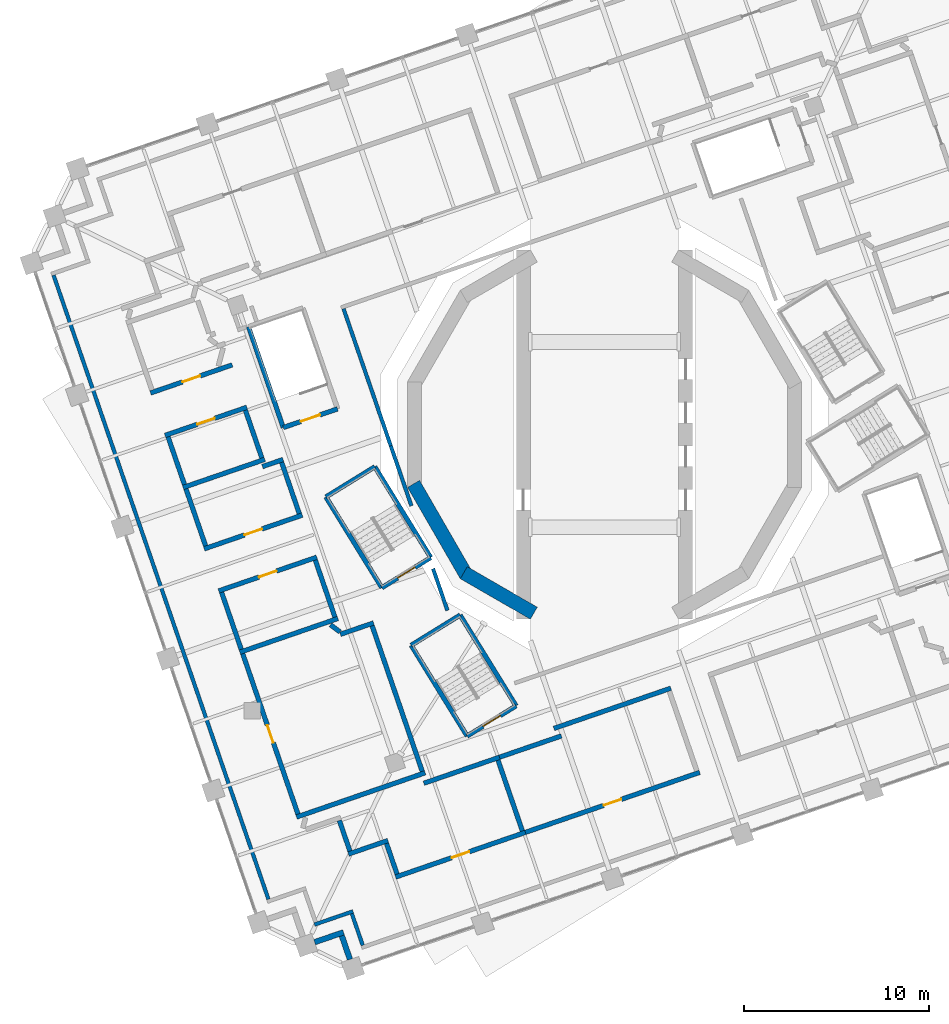
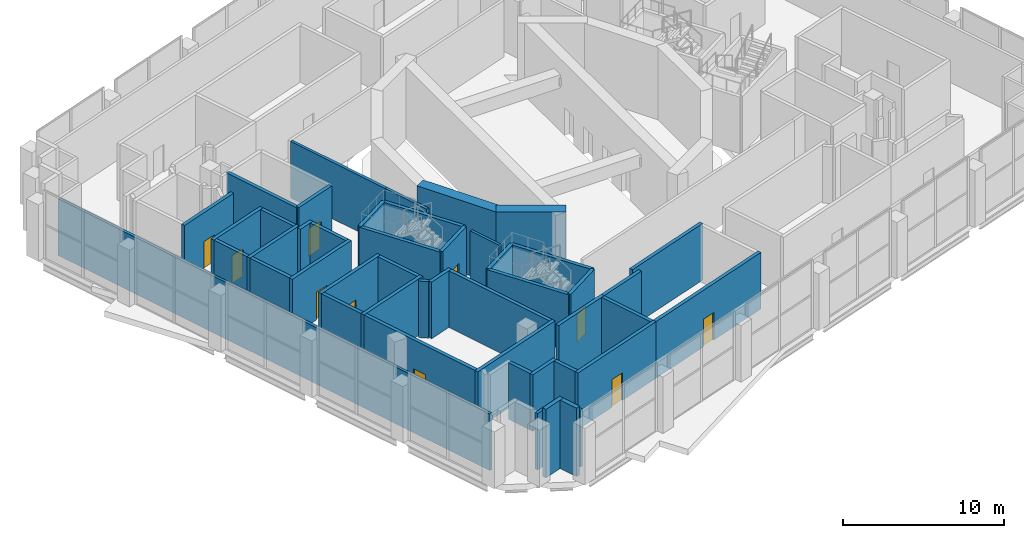
# One storey, part 11 of 20: 47 walls, 10 doors, 10 openings.
"""IFC4 building model written with IfcOpenShell, lengths in metres."""

from ifc_helpers import new_model, si_unit, direction, frame, frame_2d, origin, place, context, subcontext, project, spatial, rectangle, extrude, material, layer, layer_set, type_object, element, fill, save


model = new_model("IFC4")

# Units and contexts
model_context = context("Model", 3, precision=1e-05, world=origin(), true_north=direction((0.0, 1.0)))
body_context = subcontext(model_context, "Body", "Model", "MODEL_VIEW")
ifc_project = project(units=[si_unit("LENGTHUNIT", "METRE"), si_unit("AREAUNIT", "SQUARE_METRE"), si_unit("VOLUMEUNIT", "CUBIC_METRE"), si_unit("PLANEANGLEUNIT", "RADIAN"), si_unit("MASSUNIT", "GRAM", prefix="KILO")], contexts=[model_context])

# Site, building, storey
site_placement = place(None, origin())
site = spatial("IfcSite", under=ifc_project, at=site_placement, CompositionType="ELEMENT")
building_placement = place(site_placement, origin())
building = spatial("IfcBuilding", under=site, at=building_placement, Name="Cantera Rosa Tower", CompositionType="ELEMENT")
storey_placement = place(building_placement, frame((0.0, 0.0, 142.10009765625)))
storey = spatial("IfcBuildingStorey", under=building, at=storey_placement, Name="L30", CompositionType="ELEMENT", Elevation=142.10009765625)

# Walls
ifc_material_1 = material(Name="Masonry blockwork", Category="masonry")
ifc_layer_1 = layer(ifc_material_1, 0.199951171875)
ifc_layer_set_1 = layer_set([ifc_layer_1], Name="Blockwork partition 200")
wall_type_1 = type_object("IfcWallType", Name="Blockwork partition 200", PredefinedType="PARTITIONING", material=ifc_layer_set_1)
wall_1_placement = place(storey_placement, frame((-8.473388671875, -9.4853515625, 0.0), z_axis=(0.0, 0.0, 1.0), x_axis=(-0.325652652476, 0.945489476375, 0.0)))
element("IfcWall", 1, at=wall_1_placement, inside=storey, type_object=wall_type_1, Name="Partition L30-3", PredefinedType="PARTITIONING", context=body_context, shape_type="SweptSolid", body=[
    extrude(rectangle(XDim=2.3818359375, YDim=0.199951171875, at=frame_2d((1.19091796875, 0.0))), origin(), (0.0, 0.0, 1.0), 4.2998046875),
])
wall_2_placement = place(storey_placement, frame((-10.41552734375, -3.84521484375, 0.0), z_axis=(0.0, 0.0, 1.0), x_axis=(-0.325593324653, 0.945509908431, 0.0)))
element("IfcWall", 2, at=wall_2_placement, inside=storey, type_object=wall_type_1, Name="Partition L30-4", PredefinedType="PARTITIONING", context=body_context, shape_type="SweptSolid", body=[
    extrude(rectangle(XDim=3.427490234375, YDim=0.199951171875, at=frame_2d((1.7138671875, 0.0))), origin(), (0.0, 0.0, 1.0), 4.2998046875),
])
wall_3_placement = place(storey_placement, frame((-11.531494140625, -0.6044921875, 0.0), z_axis=(0.0, 0.0, 1.0), x_axis=(-0.325553677682, 0.945523560229, 0.0)))
element("IfcWall", 3, at=wall_3_placement, inside=storey, type_object=wall_type_1, Name="Partition L30-5", PredefinedType="PARTITIONING", context=body_context, shape_type="SweptSolid", body=[
    extrude(rectangle(XDim=7.817138671875, YDim=0.199951171875, at=frame_2d((3.90869140625, 0.0))), origin(), (0.0, 0.0, 1.0), 4.2998046875),
])
wall_4_placement = place(storey_placement, frame((-18.12646484375, -25.067138671875, 0.0), z_axis=(0.0, 0.0, 1.0), x_axis=(-0.325569225198, 0.945518206913, 0.0)))
element("IfcWall", 4, at=wall_4_placement, inside=storey, type_object=wall_type_1, Name="Partition L30-117", PredefinedType="PARTITIONING", context=body_context, shape_type="SweptSolid", body=[
    extrude(rectangle(XDim=35.60009765625, YDim=0.199951171875, at=frame_2d((17.800048828125, 0.0))), origin(), (0.0, 0.0, 1.0), 4.2998046875),
])
wall_5_placement = place(storey_placement, frame((-13.042236328125, -27.546875, 0.0), z_axis=(0.0, 0.0, 1.0), x_axis=(-0.32553083102, 0.945531426266, 0.0)))
element("IfcWall", 5, at=wall_5_placement, inside=storey, type_object=wall_type_1, Name="Partition L30-122", PredefinedType="PARTITIONING", context=body_context, shape_type="SweptSolid", body=[
    extrude(rectangle(XDim=1.800048828125, YDim=0.199951171875, at=frame_2d((0.89990234375, 0.0))), origin(), (0.0, 0.0, 1.0), 4.2998046875),
])
wall_6_placement = place(storey_placement, frame((-15.646240234375, -26.43408203125, 0.0), z_axis=(0.0, 0.0, 1.0), x_axis=(0.945541505529, 0.325501553488, 0.0)))
element("IfcWall", 6, at=wall_6_placement, inside=storey, type_object=wall_type_1, Name="Partition L30-130", PredefinedType="PARTITIONING", context=body_context, shape_type="SweptSolid", body=[
    extrude(rectangle(XDim=2.199951171875, YDim=0.199951171875, at=frame_2d((1.10009765625, 0.0))), origin(), (0.0, 0.0, 1.0), 4.2998046875),
])
ifc_material_2 = material(Name="Hollow clay masonry with cantera stone cladding", Category="masonry")
ifc_layer_2 = layer(ifc_material_2, 0.300048828125)
ifc_layer_set_2 = layer_set([ifc_layer_2], Name="EW-LOGGIA 300")
wall_type_2 = type_object("IfcWallType", Name="EW-LOGGIA 300", PredefinedType="SOLIDWALL", material=ifc_layer_set_2)
wall_7_placement = place(storey_placement, frame((-15.636962890625, -27.3828125, 0.0), z_axis=(0.0, 0.0, 1.0), x_axis=(0.945484566827, 0.325666906351, 0.0)))
element("IfcWall", 7, at=wall_7_placement, inside=storey, type_object=wall_type_2, Name="EN-L30-W22a", PredefinedType="SOLIDWALL", context=body_context, shape_type="SweptSolid", body=[
    extrude(rectangle(XDim=1.64990234375, YDim=0.300048828125, at=frame_2d((0.824951171875, 0.0))), origin(), (0.0, 0.0, 1.0), 5.199951171875),
])
wall_8_placement = place(storey_placement, frame((-14.169921875, -27.0361328125, 0.0), z_axis=(0.0, 0.0, 1.0), x_axis=(0.325650742363, -0.945490134268, 0.0)))
element("IfcWall", 8, at=wall_8_placement, inside=storey, type_object=wall_type_2, Name="EN-L30-W22b", PredefinedType="SOLIDWALL", context=body_context, shape_type="SweptSolid", body=[
    extrude(rectangle(XDim=1.35009765625, YDim=0.300048828125, at=frame_2d((0.675048828125, 0.0))), origin(), (0.0, 0.0, 1.0), 5.199951171875),
])

# Wall, opening, door
ifc_material_3 = material(Name="Masonry blockwork", Category="masonry")
ifc_layer_3 = layer(ifc_material_3, 0.25)
ifc_layer_set_3 = layer_set([ifc_layer_3], Name="Fire-rated wall 250")
wall_type_3 = type_object("IfcWallType", Name="Fire-rated wall 250", PredefinedType="PARTITIONING", material=ifc_layer_set_3)
wall_9_placement = place(storey_placement, frame((-16.53515625, -20.473876953125, 0.0), z_axis=(0.0, 0.0, 1.0), x_axis=(-0.325569642151, 0.945518063344, 0.0)))
wall_9 = element("IfcWall", 9, at=wall_9_placement, inside=storey, type_object=wall_type_3, Name="Fire wall L30-16", PredefinedType="PARTITIONING", context=body_context, shape_type="SweptSolid", body=[
    extrude(rectangle(XDim=9.150146484375, YDim=0.25, at=frame_2d((4.5751953125, 0.0))), origin(), (0.0, 0.0, 1.0), 4.2998046875),
])
opening_1_placement = place(wall_9_placement, frame((4.074951171875, 0.0, 0.0)))
opening_1 = element("IfcOpeningElement", 10, at=opening_1_placement, cuts=wall_9, Name="Opening L30-012", PredefinedType="OPENING", context=body_context, shape_type="SweptSolid", body=[
    extrude(rectangle(XDim=1.0, YDim=2.10009765625, at=frame_2d((0.5, 1.050048828125))), frame((0.0, 0.135009765625, 0.0), z_axis=(0.0, -1.0, 0.0), x_axis=(1.0, 0.0, 0.0)), (0.0, 0.0, 1.0), 0.27001953125),
])
ifc_material_4 = material(Name="Steel S355J2 (EN 10025-2)", Category="steel")
door_type_1 = type_object("IfcDoorType", Name="Fire door 1000x2100", OperationType="NOTDEFINED", PredefinedType="DOOR", material=ifc_material_4)
door_1_placement = place(opening_1_placement, origin())
door_1 = element("IfcDoor", 11, at=door_1_placement, inside=storey, type_object=door_type_1, Name="Door L30-012", OverallHeight=2.10009765625, OverallWidth=1.0, PredefinedType="DOOR", context=body_context, shape_type="SweptSolid", body=[
    extrude(rectangle(XDim=1.0, YDim=2.10009765625, at=frame_2d((0.5, 1.050048828125))), frame((0.0, 0.02490234375, 0.0), z_axis=(0.0, -1.0, 0.0), x_axis=(1.0, 0.0, 0.0)), (0.0, 0.0, 1.0), 0.050048828125),
])
fill(opening_1, door_1)

# Walls
for number, where, z_axis, x_axis, name in (
    (12, (-19.595703125, -11.5859375, 0.0), (0.0, 0.0, 1.0), (-0.325564684577, 0.945519770368, 0.0), "Fire wall L30-17"),
    (13, (-21.516357421875, -6.00732421875, 0.0), (0.0, 0.0, 1.0), (-0.325564684577, 0.945519770368, 0.0), "Fire wall L30-18"),
):
    element("IfcWall", number, at=place(storey_placement, frame(where, z_axis=z_axis, x_axis=x_axis)), inside=storey, type_object=wall_type_3, Name=name, PredefinedType="PARTITIONING", context=body_context, shape_type="SweptSolid", body=[
        extrude(rectangle(XDim=3.25, YDim=0.25, at=frame_2d((1.625, 0.0))), origin(), (0.0, 0.0, 1.0), 4.2998046875),
    ])
wall_10_placement = place(storey_placement, frame((-22.656005859375, -2.697998046875, 0.0), z_axis=(0.0, 0.0, 1.0), x_axis=(-0.325518195167, 0.945535776486, 0.0)))
element("IfcWall", 14, at=wall_10_placement, inside=storey, type_object=wall_type_3, Name="Fire wall L30-19", PredefinedType="PARTITIONING", context=body_context, shape_type="SweptSolid", body=[
    extrude(rectangle(XDim=2.723388671875, YDim=0.25, at=frame_2d((1.36181640625, 0.0))), origin(), (0.0, 0.0, 1.0), 4.2998046875),
])
wall_11_placement = place(storey_placement, frame((-13.732666015625, -22.47021484375, 0.0), z_axis=(0.0, 0.0, 1.0), x_axis=(-0.325586541467, 0.945512244244, 0.0)))
element("IfcWall", 15, at=wall_11_placement, inside=storey, type_object=wall_type_3, Name="Fire wall L30-25", PredefinedType="PARTITIONING", context=body_context, shape_type="SweptSolid", body=[
    extrude(rectangle(XDim=1.750244140625, YDim=0.25, at=frame_2d((0.875, 0.0))), origin(), (0.0, 0.0, 1.0), 4.2998046875),
])
wall_12_placement = place(storey_placement, frame((-11.1904296875, -23.7099609375, 0.0), z_axis=(0.0, 0.0, 1.0), x_axis=(-0.32562949047, 0.945497453691, 0.0)))
element("IfcWall", 16, at=wall_12_placement, inside=storey, type_object=wall_type_3, Name="Fire wall L30-29", PredefinedType="PARTITIONING", context=body_context, shape_type="SweptSolid", body=[
    extrude(rectangle(XDim=1.75, YDim=0.25, at=frame_2d((0.875, 0.0))), origin(), (0.0, 0.0, 1.0), 4.2998046875),
])
wall_13_placement = place(storey_placement, frame((-4.429931640625, -21.382080078125, 0.0), z_axis=(0.0, 0.0, 1.0), x_axis=(-0.325571422127, 0.945517450444, 0.0)))
element("IfcWall", 17, at=wall_13_placement, inside=storey, type_object=wall_type_3, Name="Fire wall L30-35", PredefinedType="PARTITIONING", context=body_context, shape_type="SweptSolid", body=[
    extrude(rectangle(XDim=4.0380859375, YDim=0.25, at=frame_2d((2.01904296875, 0.0))), origin(), (0.0, 0.0, 1.0), 4.2998046875),
])
wall_14_placement = place(storey_placement, frame((-16.61279296875, -20.6328125, 0.0), z_axis=(0.0, 0.0, 1.0), x_axis=(0.945513582781, 0.325582654292, 0.0)))
element("IfcWall", 18, at=wall_14_placement, inside=storey, type_object=wall_type_3, Name="Fire wall L30-64", PredefinedType="PARTITIONING", context=body_context, shape_type="SweptSolid", body=[
    extrude(rectangle(XDim=7.339599609375, YDim=0.25, at=frame_2d((3.669921875, 0.0))), origin(), (0.0, 0.0, 1.0), 4.2998046875),
])
wall_15_placement = place(storey_placement, frame((-2.72900390625, -15.85205078125, 0.0), z_axis=(0.0, 0.0, 1.0), x_axis=(0.945528161383, 0.325540313988, 0.0)))
element("IfcWall", 19, at=wall_15_placement, inside=storey, type_object=wall_type_3, Name="Fire wall L30-65", PredefinedType="PARTITIONING", context=body_context, shape_type="SweptSolid", body=[
    extrude(rectangle(XDim=6.666259765625, YDim=0.25, at=frame_2d((3.3330078125, 0.0))), origin(), (0.0, 0.0, 1.0), 4.2998046875),
])
wall_16_placement = place(storey_placement, frame((-22.7333984375, -2.85693359375, 0.0), z_axis=(0.0, 0.0, 1.0), x_axis=(0.945521467236, 0.325559756414, 0.0)))
element("IfcWall", 20, at=wall_16_placement, inside=storey, type_object=wall_type_3, Name="Fire wall L30-73", PredefinedType="PARTITIONING", context=body_context, shape_type="SweptSolid", body=[
    extrude(rectangle(XDim=4.662109375, YDim=0.25, at=frame_2d((2.3310546875, 0.0))), origin(), (0.0, 0.0, 1.0), 4.2998046875),
])

# Wall, opening, door
wall_17_placement = place(storey_placement, frame((-21.593994140625, -6.166259765625, 0.0), z_axis=(0.0, 0.0, 1.0), x_axis=(0.945517107731, 0.325572417426, 0.0)))
wall_17 = element("IfcWall", 21, at=wall_17_placement, inside=storey, type_object=wall_type_3, Name="Fire wall L30-75", PredefinedType="PARTITIONING", context=body_context, shape_type="SweptSolid", body=[
    extrude(rectangle(XDim=5.594970703125, YDim=0.25, at=frame_2d((2.79736328125, 0.0))), origin(), (0.0, 0.0, 1.0), 4.2998046875),
])
opening_2_placement = place(wall_17_placement, frame((2.29736328125, 0.0, 0.0)))
opening_2 = element("IfcOpeningElement", 22, at=opening_2_placement, cuts=wall_17, Name="Opening L30-014", PredefinedType="OPENING", context=body_context, shape_type="SweptSolid", body=[
    extrude(rectangle(XDim=1.0, YDim=2.10009765625, at=frame_2d((0.5, 1.050048828125))), frame((0.0, 0.135009765625, 0.0), z_axis=(0.0, -1.0, 0.0), x_axis=(1.0, 0.0, 0.0)), (0.0, 0.0, 1.0), 0.27001953125),
])
door_2_placement = place(opening_2_placement, origin())
door_2 = element("IfcDoor", 23, at=door_2_placement, inside=storey, type_object=door_type_1, Name="Door L30-014", OverallHeight=2.10009765625, OverallWidth=1.0, PredefinedType="DOOR", context=body_context, shape_type="SweptSolid", body=[
    extrude(rectangle(XDim=1.0, YDim=2.10009765625, at=frame_2d((0.5, 1.050048828125))), frame((0.0, 0.02490234375, 0.0), z_axis=(0.0, -1.0, 0.0), x_axis=(1.0, 0.0, 0.0)), (0.0, 0.0, 1.0), 0.050048828125),
])
fill(opening_2, door_2)

# Walls
wall_18_placement = place(storey_placement, frame((-13.81005859375, -22.62890625, 0.0), z_axis=(0.0, 0.0, 1.0), x_axis=(0.945534300872, 0.325522481365, 0.0)))
element("IfcWall", 24, at=wall_18_placement, inside=storey, type_object=wall_type_3, Name="Fire wall L30-83", PredefinedType="PARTITIONING", context=body_context, shape_type="SweptSolid", body=[
    extrude(rectangle(XDim=2.25, YDim=0.25, at=frame_2d((1.125, 0.0))), origin(), (0.0, 0.0, 1.0), 4.2998046875),
])
wall_19_placement = place(storey_placement, frame((-9.831787109375, -18.16552734375, 0.0), z_axis=(0.0, 0.0, 1.0), x_axis=(-0.325583639525, 0.945513243521, 0.0)))
element("IfcWall", 25, at=wall_19_placement, inside=storey, type_object=wall_type_3, Name="Fire wall L30-86", PredefinedType="PARTITIONING", context=body_context, shape_type="SweptSolid", body=[
    extrude(rectangle(XDim=8.300048828125, YDim=0.25, at=frame_2d((4.14990234375, 0.0))), origin(), (0.0, 0.0, 1.0), 4.2998046875),
])
wall_20_placement = place(storey_placement, frame((-9.742919921875, -18.808349609375, 0.0), z_axis=(0.0, 0.0, 1.0), x_axis=(0.945522152801, 0.325557765323, 0.0)))
element("IfcWall", 26, at=wall_20_placement, inside=storey, type_object=wall_type_3, Name="Fire wall L30-87", PredefinedType="PARTITIONING", context=body_context, shape_type="SweptSolid", body=[
    extrude(rectangle(XDim=4.310546875, YDim=0.25, at=frame_2d((2.1552734375, 0.0))), origin(), (0.0, 0.0, 1.0), 4.2998046875),
])
wall_21_placement = place(storey_placement, frame((-5.667236328125, -17.405029296875, 0.0), z_axis=(0.0, 0.0, 1.0), x_axis=(0.945521199853, 0.325560532971, 0.0)))
element("IfcWall", 27, at=wall_21_placement, inside=storey, type_object=wall_type_3, Name="Fire wall L30-88", PredefinedType="PARTITIONING", context=body_context, shape_type="SweptSolid", body=[
    extrude(rectangle(XDim=3.533447265625, YDim=0.25, at=frame_2d((1.7666015625, 0.0))), origin(), (0.0, 0.0, 1.0), 4.2998046875),
])

# Wall, opening, door
wall_22_placement = place(storey_placement, frame((-11.267822265625, -23.868896484375, 0.0), z_axis=(0.0, 0.0, 1.0), x_axis=(0.945519439557, 0.325565645331, 0.0)))
wall_22 = element("IfcWall", 28, at=wall_22_placement, inside=storey, type_object=wall_type_3, Name="Fire wall L30-89", PredefinedType="PARTITIONING", context=body_context, shape_type="SweptSolid", body=[
    extrude(rectangle(XDim=7.39990234375, YDim=0.25, at=frame_2d((3.699951171875, 0.0))), origin(), (0.0, 0.0, 1.0), 4.2998046875),
])
opening_3_placement = place(wall_22_placement, frame((3.199951171875, 0.0, 0.0)))
opening_3 = element("IfcOpeningElement", 29, at=opening_3_placement, cuts=wall_22, Name="Opening L30-008", PredefinedType="OPENING", context=body_context, shape_type="SweptSolid", body=[
    extrude(rectangle(XDim=1.0, YDim=2.10009765625, at=frame_2d((0.5, 1.050048828125))), frame((0.0, 0.135009765625, 0.0), z_axis=(0.0, -1.0, 0.0), x_axis=(1.0, 0.0, 0.0)), (0.0, 0.0, 1.0), 0.27001953125),
])
door_3_placement = place(opening_3_placement, origin())
door_3 = element("IfcDoor", 30, at=door_3_placement, inside=storey, type_object=door_type_1, Name="Door L30-008", OverallHeight=2.10009765625, OverallWidth=1.0, PredefinedType="DOOR", context=body_context, shape_type="SweptSolid", body=[
    extrude(rectangle(XDim=1.0, YDim=2.10009765625, at=frame_2d((0.5, 1.050048828125))), frame((0.0, 0.02490234375, 0.0), z_axis=(0.0, -1.0, 0.0), x_axis=(1.0, 0.0, 0.0)), (0.0, 0.0, 1.0), 0.050048828125),
])
fill(opening_3, door_3)

wall_23_placement = place(storey_placement, frame((-4.27099609375, -21.459716796875, 0.0), z_axis=(0.0, 0.0, 1.0), x_axis=(0.945513441143, 0.325583065618, 0.0)))
wall_23 = element("IfcWall", 31, at=wall_23_placement, inside=storey, type_object=wall_type_3, Name="Fire wall L30-90", PredefinedType="PARTITIONING", context=body_context, shape_type="SweptSolid", body=[
    extrude(rectangle(XDim=9.949951171875, YDim=0.25, at=frame_2d((4.97509765625, 0.0))), origin(), (0.0, 0.0, 1.0), 4.2998046875),
])
opening_4_placement = place(wall_23_placement, frame((4.47509765625, 0.0, 0.0)))
opening_4 = element("IfcOpeningElement", 32, at=opening_4_placement, cuts=wall_23, Name="Opening L30-009", PredefinedType="OPENING", context=body_context, shape_type="SweptSolid", body=[
    extrude(rectangle(XDim=1.0, YDim=2.10009765625, at=frame_2d((0.5, 1.050048828125))), frame((0.0, 0.135009765625, 0.0), z_axis=(0.0, -1.0, 0.0), x_axis=(1.0, 0.0, 0.0)), (0.0, 0.0, 1.0), 0.27001953125),
])
door_4_placement = place(opening_4_placement, origin())
door_4 = element("IfcDoor", 33, at=door_4_placement, inside=storey, type_object=door_type_1, Name="Door L30-009", OverallHeight=2.10009765625, OverallWidth=1.0, PredefinedType="DOOR", context=body_context, shape_type="SweptSolid", body=[
    extrude(rectangle(XDim=1.0, YDim=2.10009765625, at=frame_2d((0.5, 1.050048828125))), frame((0.0, 0.02490234375, 0.0), z_axis=(0.0, -1.0, 0.0), x_axis=(1.0, 0.0, 0.0)), (0.0, 0.0, 1.0), 0.050048828125),
])
fill(opening_4, door_4)

# Walls
wall_24_placement = place(storey_placement, frame((-19.673095703125, -11.744873046875, 0.0), z_axis=(0.0, 0.0, 1.0), x_axis=(0.945517107731, 0.325572417426, 0.0)))
element("IfcWall", 34, at=wall_24_placement, inside=storey, type_object=wall_type_3, Name="Fire wall L30-100", PredefinedType="PARTITIONING", context=body_context, shape_type="SweptSolid", body=[
    extrude(rectangle(XDim=5.594970703125, YDim=0.25, at=frame_2d((2.79736328125, 0.0))), origin(), (0.0, 0.0, 1.0), 4.2998046875),
])
wall_25_placement = place(storey_placement, frame((-14.265380859375, -10.6494140625, 0.0), z_axis=(0.0, 0.0, 1.0), x_axis=(-0.798677683627, 0.601759052842, 0.0)))
element("IfcWall", 35, at=wall_25_placement, inside=storey, type_object=wall_type_3, Name="Fire wall L30-101", PredefinedType="PARTITIONING", context=body_context, shape_type="SweptSolid", body=[
    extrude(rectangle(XDim=0.6435546875, YDim=0.25, at=frame_2d((0.32177734375, 0.0))), origin(), (0.0, 0.0, 1.0), 4.2998046875),
])
wall_26_placement = place(storey_placement, frame((-14.5419921875, -9.845703125, 0.0), z_axis=(0.0, 0.0, 1.0), x_axis=(-0.325587809767, 0.945511807505, 0.0)))
element("IfcWall", 36, at=wall_26_placement, inside=storey, type_object=wall_type_3, Name="Fire wall L30-102", PredefinedType="PARTITIONING", context=body_context, shape_type="SweptSolid", body=[
    extrude(rectangle(XDim=3.249755859375, YDim=0.25, at=frame_2d((1.625, 0.0))), origin(), (0.0, 0.0, 1.0), 4.2998046875),
])
wall_27_placement = place(storey_placement, frame((-16.462890625, -4.267333984375, 0.0), z_axis=(0.0, 0.0, 1.0), x_axis=(-0.325532523277, 0.945530843648, 0.0)))
element("IfcWall", 37, at=wall_27_placement, inside=storey, type_object=wall_type_3, Name="Fire wall L30-103", PredefinedType="PARTITIONING", context=body_context, shape_type="SweptSolid", body=[
    extrude(rectangle(XDim=2.92333984375, YDim=0.25, at=frame_2d((1.461669921875, 0.0))), origin(), (0.0, 0.0, 1.0), 4.2998046875),
])
wall_28_placement = place(storey_placement, frame((-14.248291015625, -10.775634765625, 0.0), z_axis=(0.0, 0.0, 1.0), x_axis=(0.945545387544, 0.325490276497, 0.0)))
element("IfcWall", 38, at=wall_28_placement, inside=storey, type_object=wall_type_3, Name="Fire wall L30-104", PredefinedType="PARTITIONING", context=body_context, shape_type="SweptSolid", body=[
    extrude(rectangle(XDim=1.894775390625, YDim=0.25, at=frame_2d((0.947265625, 0.0))), origin(), (0.0, 0.0, 1.0), 4.2998046875),
])

# Wall, opening, door
wall_29_placement = place(storey_placement, frame((-20.8125, -8.435546875, 0.0), z_axis=(0.0, 0.0, 1.0), x_axis=(0.945512482082, 0.325585850778, 0.0)))
wall_29 = element("IfcWall", 39, at=wall_29_placement, inside=storey, type_object=wall_type_3, Name="Fire wall L30-105", PredefinedType="PARTITIONING", context=body_context, shape_type="SweptSolid", body=[
    extrude(rectangle(XDim=5.5947265625, YDim=0.25, at=frame_2d((2.79736328125, 0.0))), origin(), (0.0, 0.0, 1.0), 4.2998046875),
])
opening_5_placement = place(wall_29_placement, frame((2.29736328125, 0.0, 0.0)))
opening_5 = element("IfcOpeningElement", 40, at=opening_5_placement, cuts=wall_29, Name="Opening L30-013", PredefinedType="OPENING", context=body_context, shape_type="SweptSolid", body=[
    extrude(rectangle(XDim=1.0, YDim=2.10009765625, at=frame_2d((0.5, 1.050048828125))), frame((0.0, 0.135009765625, 0.0), z_axis=(0.0, -1.0, 0.0), x_axis=(1.0, 0.0, 0.0)), (0.0, 0.0, 1.0), 0.27001953125),
])
door_5_placement = place(opening_5_placement, origin())
door_5 = element("IfcDoor", 41, at=door_5_placement, inside=storey, type_object=door_type_1, Name="Door L30-013", OverallHeight=2.10009765625, OverallWidth=1.0, PredefinedType="DOOR", context=body_context, shape_type="SweptSolid", body=[
    extrude(rectangle(XDim=1.0, YDim=2.10009765625, at=frame_2d((0.5, 1.050048828125))), frame((0.0, 0.02490234375, 0.0), z_axis=(0.0, -1.0, 0.0), x_axis=(1.0, 0.0, 0.0)), (0.0, 0.0, 1.0), 0.050048828125),
])
fill(opening_5, door_5)

# Walls
wall_30_placement = place(storey_placement, frame((-18.48388671875, -1.261474609375, 0.0), z_axis=(0.0, 0.0, 1.0), x_axis=(-0.325598341921, 0.945508180683, 0.0)))
element("IfcWall", 42, at=wall_30_placement, inside=storey, type_object=wall_type_3, Name="Fire wall L30-106", PredefinedType="PARTITIONING", context=body_context, shape_type="SweptSolid", body=[
    extrude(rectangle(XDim=2.723388671875, YDim=0.25, at=frame_2d((1.36181640625, 0.0))), origin(), (0.0, 0.0, 1.0), 4.2998046875),
])
wall_31_placement = place(storey_placement, frame((-18.455078125, -1.729248046875, 0.0), z_axis=(0.0, 0.0, 1.0), x_axis=(0.945497988391, 0.325627937911, 0.0)))
element("IfcWall", 43, at=wall_31_placement, inside=storey, type_object=wall_type_3, Name="Fire wall L30-108", PredefinedType="PARTITIONING", context=body_context, shape_type="SweptSolid", body=[
    extrude(rectangle(XDim=1.182373046875, YDim=0.25, at=frame_2d((0.59130859375, 0.0))), origin(), (0.0, 0.0, 1.0), 4.2998046875),
])

# Wall, opening, door
wall_32_placement = place(storey_placement, frame((-24.489013671875, 2.24169921875, 0.0), z_axis=(0.0, 0.0, 1.0), x_axis=(0.945521467236, 0.325559756414, 0.0)))
wall_32 = element("IfcWall", 44, at=wall_32_placement, inside=storey, type_object=wall_type_3, Name="Fire wall L30-110", PredefinedType="PARTITIONING", context=body_context, shape_type="SweptSolid", body=[
    extrude(rectangle(XDim=4.662109375, YDim=0.25, at=frame_2d((2.3310546875, 0.0))), origin(), (0.0, 0.0, 1.0), 4.2998046875),
])
opening_6_placement = place(wall_32_placement, frame((1.831298828125, 0.0, 0.0)))
opening_6 = element("IfcOpeningElement", 45, at=opening_6_placement, cuts=wall_32, Name="Opening L30-015", PredefinedType="OPENING", context=body_context, shape_type="SweptSolid", body=[
    extrude(rectangle(XDim=1.0, YDim=2.10009765625, at=frame_2d((0.5, 1.050048828125))), frame((0.0, 0.135009765625, 0.0), z_axis=(0.0, -1.0, 0.0), x_axis=(1.0, 0.0, 0.0)), (0.0, 0.0, 1.0), 0.27001953125),
])
door_6_placement = place(opening_6_placement, origin())
door_6 = element("IfcDoor", 46, at=door_6_placement, inside=storey, type_object=door_type_1, Name="Door L30-015", OverallHeight=2.10009765625, OverallWidth=1.0, PredefinedType="DOOR", context=body_context, shape_type="SweptSolid", body=[
    extrude(rectangle(XDim=1.0, YDim=2.10009765625, at=frame_2d((0.5, 1.050048828125))), frame((0.0, 0.02490234375, 0.0), z_axis=(0.0, -1.0, 0.0), x_axis=(1.0, 0.0, 0.0)), (0.0, 0.0, 1.0), 0.050048828125),
])
fill(opening_6, door_6)

wall_33_placement = place(storey_placement, frame((-23.701416015625, -0.04541015625, 0.0), z_axis=(0.0, 0.0, 1.0), x_axis=(0.945521467236, 0.325559756414, 0.0)))
wall_33 = element("IfcWall", 47, at=wall_33_placement, inside=storey, type_object=wall_type_3, Name="Fire wall L30-112", PredefinedType="PARTITIONING", context=body_context, shape_type="SweptSolid", body=[
    extrude(rectangle(XDim=4.662109375, YDim=0.25, at=frame_2d((2.3310546875, 0.0))), origin(), (0.0, 0.0, 1.0), 4.2998046875),
])
opening_7_placement = place(wall_33_placement, frame((1.831298828125, 0.0, 0.0)))
opening_7 = element("IfcOpeningElement", 48, at=opening_7_placement, cuts=wall_33, Name="Opening L30-016", PredefinedType="OPENING", context=body_context, shape_type="SweptSolid", body=[
    extrude(rectangle(XDim=1.0, YDim=2.10009765625, at=frame_2d((0.5, 1.050048828125))), frame((0.0, 0.135009765625, 0.0), z_axis=(0.0, -1.0, 0.0), x_axis=(1.0, 0.0, 0.0)), (0.0, 0.0, 1.0), 0.27001953125),
])
door_7_placement = place(opening_7_placement, origin())
door_7 = element("IfcDoor", 49, at=door_7_placement, inside=storey, type_object=door_type_1, Name="Door L30-016", OverallHeight=2.10009765625, OverallWidth=1.0, PredefinedType="DOOR", context=body_context, shape_type="SweptSolid", body=[
    extrude(rectangle(XDim=1.0, YDim=2.10009765625, at=frame_2d((0.5, 1.050048828125))), frame((0.0, 0.02490234375, 0.0), z_axis=(0.0, -1.0, 0.0), x_axis=(1.0, 0.0, 0.0)), (0.0, 0.0, 1.0), 0.050048828125),
])
fill(opening_7, door_7)

# Walls
ifc_material_5 = material(Name="Concrete C60/75", Category="concrete")
ifc_layer_4 = layer(ifc_material_5, 0.75)
ifc_layer_set_4 = layer_set([ifc_layer_4], Name="RC CORE WALL 750 C60/75")
wall_type_4 = type_object("IfcWallType", Name="RC CORE WALL 750 C60/75", PredefinedType="SHEAR", material=ifc_layer_set_4)
wall_34_placement = place(storey_placement, frame((-3.8125, -9.634765625, 0.0), z_axis=(0.0, 0.0, 1.0), x_axis=(-0.866013176292, 0.50002117804, 0.0)))
element("IfcWall", 50, at=wall_34_placement, inside=storey, type_object=wall_type_4, Name="CW-W1 L30", PredefinedType="SHEAR", context=body_context, shape_type="SweptSolid", body=[
    extrude(rectangle(XDim=4.362548828125, YDim=0.75, at=frame_2d((2.18115234375, 0.0))), origin(), (0.0, 0.0, 1.0), 5.5),
])
wall_35_placement = place(storey_placement, frame((-7.453369140625, -7.590576171875, 0.0), z_axis=(0.0, 0.0, 1.0), x_axis=(-0.500021842983, 0.866012792365, 0.0)))
element("IfcWall", 51, at=wall_35_placement, inside=storey, type_object=wall_type_4, Name="CW-W2 L30", PredefinedType="SHEAR", context=body_context, shape_type="SweptSolid", body=[
    extrude(rectangle(XDim=5.694091796875, YDim=0.75, at=frame_2d((2.84716796875, 0.0))), origin(), (0.0, 0.0, 1.0), 5.5),
])

# Wall, opening, door
ifc_material_6 = material(Name="Concrete C50/60", Category="concrete")
ifc_layer_5 = layer(ifc_material_6, 0.25)
ifc_layer_set_5 = layer_set([ifc_layer_5], Name="RC stair wall 250 C50/60")
wall_type_5 = type_object("IfcWallType", Name="RC stair wall 250", PredefinedType="SOLIDWALL", material=ifc_layer_set_5)
wall_36_placement = place(storey_placement, frame((-9.37158203125, -6.63330078125, 0.0), z_axis=(0.0, 0.0, 1.0), x_axis=(-0.851111635158, -0.52498474692, 0.0)))
wall_36 = element("IfcWall", 52, at=wall_36_placement, inside=storey, type_object=wall_type_5, Name="STAIR WALL ST-32 L30-11", PredefinedType="SOLIDWALL", context=body_context, shape_type="SweptSolid", body=[
    extrude(rectangle(XDim=3.10009765625, YDim=0.25, at=frame_2d((1.550048828125, 0.0))), origin(), (0.0, 0.0, 1.0), 4.2998046875),
])
opening_8_placement = place(wall_36_placement, frame((1.0, 0.0, 0.0)))
opening_8 = element("IfcOpeningElement", 53, at=opening_8_placement, cuts=wall_36, Name="Opening L30-ST-32", PredefinedType="OPENING", context=body_context, shape_type="SweptSolid", body=[
    extrude(rectangle(XDim=1.10009765625, YDim=2.10009765625, at=frame_2d((0.550048828125, 1.050048828125))), frame((0.0, 0.135009765625, 0.0), z_axis=(0.0, -1.0, 0.0), x_axis=(1.0, 0.0, 0.0)), (0.0, 0.0, 1.0), 0.27001953125),
])
ifc_material_7 = material(Name="Steel S355J2 (EN 10025-2)", Category="steel")
door_type_2 = type_object("IfcDoorType", Name="STAIR DOOR 1100x2100", OperationType="NOTDEFINED", PredefinedType="DOOR", material=ifc_material_7)
door_8_placement = place(opening_8_placement, origin())
door_8 = element("IfcDoor", 54, at=door_8_placement, inside=storey, type_object=door_type_2, Name="DOOR L30-ST-32", OperationType="NOTDEFINED", OverallHeight=2.10009765625, OverallWidth=1.10009765625, PredefinedType="DOOR", context=body_context, shape_type="SweptSolid", body=[
    extrude(rectangle(XDim=1.10009765625, YDim=2.10009765625, at=frame_2d((0.550048828125, 1.050048828125))), frame((0.0, 0.02490234375, 0.0), z_axis=(0.0, -1.0, 0.0), x_axis=(1.0, 0.0, 0.0)), (0.0, 0.0, 1.0), 0.050048828125),
])
fill(opening_8, door_8)

# Walls
wall_37_placement = place(storey_placement, frame((-12.010009765625, -8.2607421875, 0.0), z_axis=(0.0, 0.0, 1.0), x_axis=(-0.524959451453, 0.85112723745, 0.0)))
element("IfcWall", 55, at=wall_37_placement, inside=storey, type_object=wall_type_5, Name="STAIR WALL ST-32 L30-21", PredefinedType="SOLIDWALL", context=body_context, shape_type="SweptSolid", body=[
    extrude(rectangle(XDim=5.75, YDim=0.25, at=frame_2d((2.875, 0.0))), origin(), (0.0, 0.0, 1.0), 4.2998046875),
])
wall_38_placement = place(storey_placement, frame((-15.028564453125, -3.36669921875, 0.0), z_axis=(0.0, 0.0, 1.0), x_axis=(0.851111635158, 0.52498474692, 0.0)))
element("IfcWall", 56, at=wall_38_placement, inside=storey, type_object=wall_type_5, Name="STAIR WALL ST-32 L30-31", PredefinedType="SOLIDWALL", context=body_context, shape_type="SweptSolid", body=[
    extrude(rectangle(XDim=3.10009765625, YDim=0.25, at=frame_2d((1.550048828125, 0.0))), origin(), (0.0, 0.0, 1.0), 4.2998046875),
])
wall_39_placement = place(storey_placement, frame((-12.39013671875, -1.7392578125, 0.0), z_axis=(0.0, 0.0, 1.0), x_axis=(0.524959451453, -0.85112723745, 0.0)))
element("IfcWall", 57, at=wall_39_placement, inside=storey, type_object=wall_type_5, Name="STAIR WALL ST-32 L30-41", PredefinedType="SOLIDWALL", context=body_context, shape_type="SweptSolid", body=[
    extrude(rectangle(XDim=5.75, YDim=0.25, at=frame_2d((2.875, 0.0))), origin(), (0.0, 0.0, 1.0), 4.2998046875),
])

# Wall, opening, door
wall_40_placement = place(storey_placement, frame((-4.771484375, -14.63330078125, 0.0), z_axis=(0.0, 0.0, 1.0), x_axis=(-0.851111635158, -0.52498474692, 0.0)))
wall_40 = element("IfcWall", 58, at=wall_40_placement, inside=storey, type_object=wall_type_5, Name="STAIR WALL ST-33 L30-11", PredefinedType="SOLIDWALL", context=body_context, shape_type="SweptSolid", body=[
    extrude(rectangle(XDim=3.10009765625, YDim=0.25, at=frame_2d((1.550048828125, 0.0))), origin(), (0.0, 0.0, 1.0), 4.2998046875),
])
opening_9_placement = place(wall_40_placement, frame((1.0, 0.0, 0.0)))
opening_9 = element("IfcOpeningElement", 59, at=opening_9_placement, cuts=wall_40, Name="Opening L30-ST-33", PredefinedType="OPENING", context=body_context, shape_type="SweptSolid", body=[
    extrude(rectangle(XDim=1.10009765625, YDim=2.10009765625, at=frame_2d((0.550048828125, 1.050048828125))), frame((0.0, 0.135009765625, 0.0), z_axis=(0.0, -1.0, 0.0), x_axis=(1.0, 0.0, 0.0)), (0.0, 0.0, 1.0), 0.27001953125),
])
door_9_placement = place(opening_9_placement, origin())
door_9 = element("IfcDoor", 60, at=door_9_placement, inside=storey, type_object=door_type_2, Name="DOOR L30-ST-33", OperationType="NOTDEFINED", OverallHeight=2.10009765625, OverallWidth=1.10009765625, PredefinedType="DOOR", context=body_context, shape_type="SweptSolid", body=[
    extrude(rectangle(XDim=1.10009765625, YDim=2.10009765625, at=frame_2d((0.550048828125, 1.050048828125))), frame((0.0, 0.02490234375, 0.0), z_axis=(0.0, -1.0, 0.0), x_axis=(1.0, 0.0, 0.0)), (0.0, 0.0, 1.0), 0.050048828125),
])
fill(opening_9, door_9)

# Walls
wall_41_placement = place(storey_placement, frame((-7.409912109375, -16.2607421875, 0.0), z_axis=(0.0, 0.0, 1.0), x_axis=(-0.524959451453, 0.85112723745, 0.0)))
element("IfcWall", 61, at=wall_41_placement, inside=storey, type_object=wall_type_5, Name="STAIR WALL ST-33 L30-21", PredefinedType="SOLIDWALL", context=body_context, shape_type="SweptSolid", body=[
    extrude(rectangle(XDim=5.75, YDim=0.25, at=frame_2d((2.875, 0.0))), origin(), (0.0, 0.0, 1.0), 4.2998046875),
])
wall_42_placement = place(storey_placement, frame((-10.428466796875, -11.36669921875, 0.0), z_axis=(0.0, 0.0, 1.0), x_axis=(0.851111635158, 0.52498474692, 0.0)))
element("IfcWall", 62, at=wall_42_placement, inside=storey, type_object=wall_type_5, Name="STAIR WALL ST-33 L30-31", PredefinedType="SOLIDWALL", context=body_context, shape_type="SweptSolid", body=[
    extrude(rectangle(XDim=3.10009765625, YDim=0.25, at=frame_2d((1.550048828125, 0.0))), origin(), (0.0, 0.0, 1.0), 4.2998046875),
])
wall_43_placement = place(storey_placement, frame((-7.7900390625, -9.7392578125, 0.0), z_axis=(0.0, 0.0, 1.0), x_axis=(0.524959451453, -0.85112723745, 0.0)))
element("IfcWall", 63, at=wall_43_placement, inside=storey, type_object=wall_type_5, Name="STAIR WALL ST-33 L30-41", PredefinedType="SOLIDWALL", context=body_context, shape_type="SweptSolid", body=[
    extrude(rectangle(XDim=5.75, YDim=0.25, at=frame_2d((2.875, 0.0))), origin(), (0.0, 0.0, 1.0), 4.2998046875),
])

# Wall, opening, door
wall_44_placement = place(storey_placement, frame((-14.3984375, 1.38623046875, 0.0), z_axis=(0.0, 0.0, 1.0), x_axis=(-0.945518510753, -0.325568342783, 0.0)))
wall_44 = element("IfcWall", 64, at=wall_44_placement, inside=storey, type_object=wall_type_5, Name="STAIR WALL ST-22 L30-11", PredefinedType="SOLIDWALL", context=body_context, shape_type="SweptSolid", body=[
    extrude(rectangle(XDim=3.10009765625, YDim=0.25, at=frame_2d((1.550048828125, 0.0))), origin(), (0.0, 0.0, 1.0), 4.2998046875),
])
opening_10_placement = place(wall_44_placement, frame((1.0, 0.0, 0.0)))
opening_10 = element("IfcOpeningElement", 65, at=opening_10_placement, cuts=wall_44, Name="Opening L30-ST-22", PredefinedType="OPENING", context=body_context, shape_type="SweptSolid", body=[
    extrude(rectangle(XDim=1.10009765625, YDim=2.10009765625, at=frame_2d((0.550048828125, 1.050048828125))), frame((0.0, 0.135009765625, 0.0), z_axis=(0.0, -1.0, 0.0), x_axis=(1.0, 0.0, 0.0)), (0.0, 0.0, 1.0), 0.27001953125),
])
door_10_placement = place(opening_10_placement, origin())
door_10 = element("IfcDoor", 66, at=door_10_placement, inside=storey, type_object=door_type_2, Name="DOOR L30-ST-22", OperationType="NOTDEFINED", OverallHeight=2.10009765625, OverallWidth=1.10009765625, PredefinedType="DOOR", context=body_context, shape_type="SweptSolid", body=[
    extrude(rectangle(XDim=1.10009765625, YDim=2.10009765625, at=frame_2d((0.550048828125, 1.050048828125))), frame((0.0, 0.02490234375, 0.0), z_axis=(0.0, -1.0, 0.0), x_axis=(1.0, 0.0, 0.0)), (0.0, 0.0, 1.0), 0.050048828125),
])
fill(opening_10, door_10)

# Wall
wall_45_placement = place(storey_placement, frame((-17.32958984375, 0.376953125, 0.0), z_axis=(0.0, 0.0, 1.0), x_axis=(-0.32557454588, 0.945516374832, 0.0)))
element("IfcWall", 67, at=wall_45_placement, inside=storey, type_object=wall_type_5, Name="STAIR WALL ST-22 L30-21", PredefinedType="SOLIDWALL", context=body_context, shape_type="SweptSolid", body=[
    extrude(rectangle(XDim=5.75, YDim=0.25, at=frame_2d((2.875, 0.0))), origin(), (0.0, 0.0, 1.0), 4.2998046875),
])

save(model, "model.ifc")
